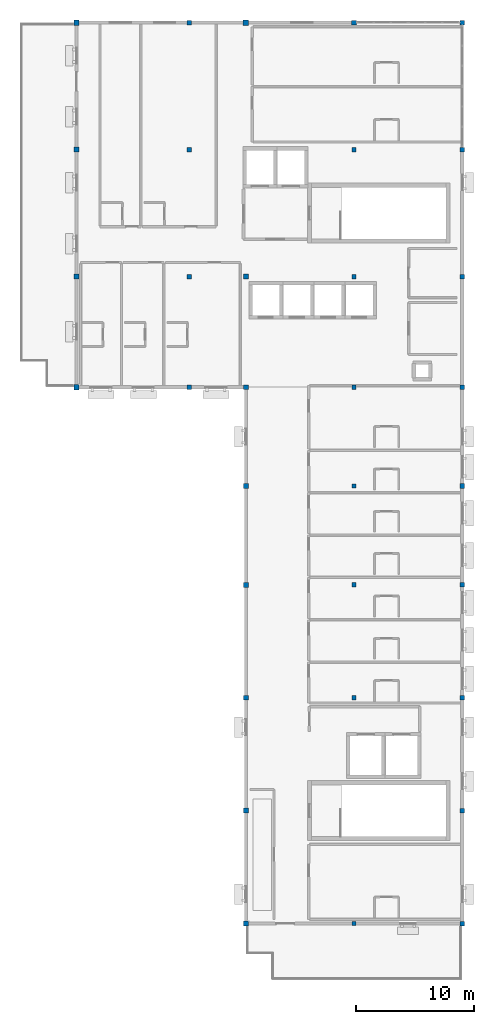
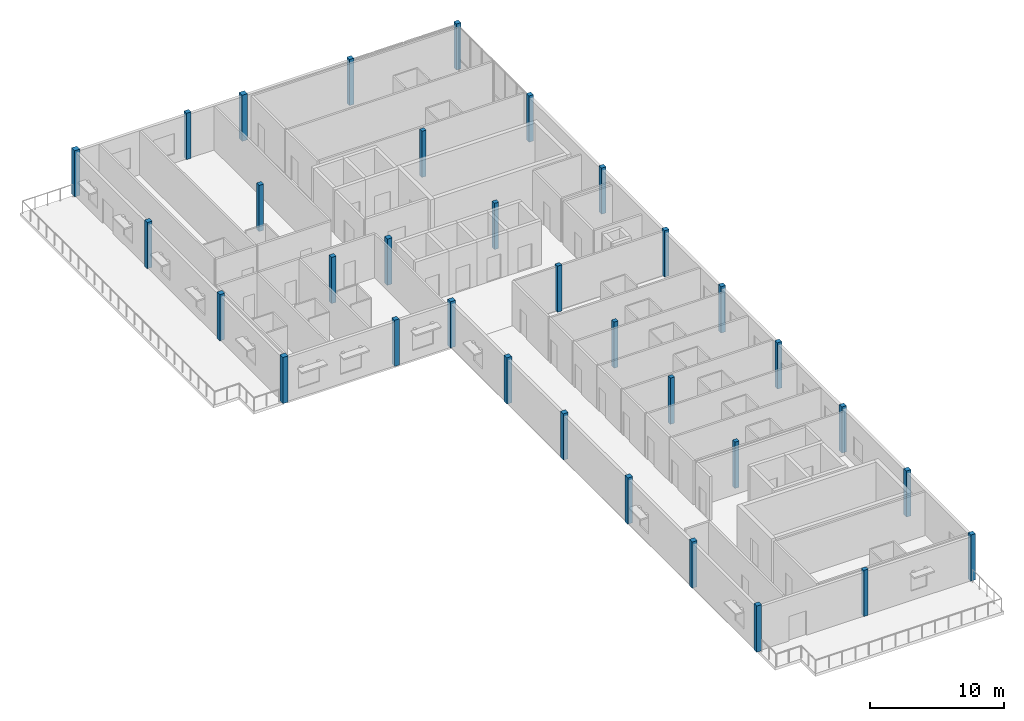
# One storey, part 1 of 9: 33 columns.
"""IFC4 building model written with IfcOpenShell, lengths in metres."""

from ifc_helpers import new_model, si_unit, direction, frame, origin, origin_2d, place, context, subcontext, project, spatial, rectangle, extrude, material, material_profile, profile_set, type_object, element, save


model = new_model("IFC4")

# Units and contexts
model_context = context("Model", 3, precision=1e-05, world=origin(), true_north=direction((0.0, 1.0)))
body_context = subcontext(model_context, "Body", "Model", "MODEL_VIEW")
ifc_project = project(units=[si_unit("LENGTHUNIT", "METRE"), si_unit("AREAUNIT", "SQUARE_METRE"), si_unit("VOLUMEUNIT", "CUBIC_METRE"), si_unit("PLANEANGLEUNIT", "RADIAN"), si_unit("MASSUNIT", "GRAM", prefix="KILO")], contexts=[model_context])

# Site, building, storey
site_placement = place(None, origin())
site = spatial("IfcSite", under=ifc_project, at=site_placement, CompositionType="ELEMENT")
building_placement = place(site_placement, origin())
building = spatial("IfcBuilding", under=site, at=building_placement, Name="Veldera Park Congress Hotel", CompositionType="ELEMENT")
storey_placement = place(building_placement, frame((0.0, 0.0, 46.60009765625)))
storey = spatial("IfcBuildingStorey", under=building, at=storey_placement, Name="L11", CompositionType="ELEMENT", Elevation=46.60009765625)

# Columns
ifc_material = material(Name="Glulam GL28h (NDS 24F-V4)", Category="wood")
ifc_material_profile_1 = material_profile(ifc_material, rectangle(XDim=0.360107421875, YDim=0.360107421875, at=origin_2d()), Name="GL28h 360x360")
ifc_profile_set_1 = profile_set([ifc_material_profile_1], Name="Glulam GL28h (NDS 24F-V4)")
column_type_1 = type_object("IfcColumnType", Name="COL-GL36", PredefinedType="COLUMN", material=ifc_profile_set_1)
for number, where, z_axis, x_axis, name in (
    (1, (74.800048828125, -18.60009765625, 0.0), (0.0, 0.0, 1.0), (1.0, 0.0, 0.0), "L11 Column COL-GL36 (74.8,-18.6)"),
    (2, (74.800048828125, 0.60009765625, 0.0), (0.0, 0.0, 1.0), (1.0, 0.0, 0.0), "L11 Column COL-GL36 (74.8,0.6)"),
    (3, (74.800048828125, 10.199951171875, 0.0), (0.0, 0.0, 1.0), (1.0, 0.0, 0.0), "L11 Column COL-GL36 (74.8,10.2)"),
    (4, (74.800048828125, 18.60009765625, 0.0), (0.0, 0.0, 1.0), (1.0, 0.0, 0.0), "L11 Column COL-GL36 (74.8,18.6)"),
    (5, (74.800048828125, 27.0, 0.0), (0.0, 0.0, 1.0), (1.0, 0.0, 0.0), "L11 Column COL-GL36 (74.8,27.0)"),
    (6, (74.800048828125, 36.39990234375, 0.0), (0.0, 0.0, 1.0), (1.0, 0.0, 0.0), "L11 Column COL-GL36 (74.8,36.4)"),
    (7, (74.800048828125, 47.199951171875, 0.0), (0.0, 0.0, 1.0), (1.0, 0.0, 0.0), "L11 Column COL-GL36 (74.8,47.2)"),
):
    element("IfcColumn", number, at=place(storey_placement, frame(where, z_axis=z_axis, x_axis=x_axis)), inside=storey, type_object=column_type_1, Name=name, PredefinedType="COLUMN", context=body_context, shape_type="SweptSolid", body=[
        extrude(rectangle(XDim=0.360107421875, YDim=0.360107421875, at=origin_2d()), origin(), (0.0, 0.0, 1.0), 4.199951171875),
    ])
ifc_material_profile_2 = material_profile(ifc_material, rectangle(XDim=0.389892578125, YDim=0.389892578125, at=origin_2d()), Name="GL28h 390x390")
ifc_profile_set_2 = profile_set([ifc_material_profile_2], Name="Glulam GL28h (NDS 24F-V4)")
column_type_2 = type_object("IfcColumnType", Name="COL-GL36E", PredefinedType="COLUMN", material=ifc_profile_set_2)
for number, where, z_axis, x_axis, name in (
    (8, (60.800048828125, 27.0, 0.0), (0.0, 0.0, 1.0), (1.0, 0.0, 0.0), "L11 Column COL-GL36E (60.8,27.0)"),
    (9, (60.800048828125, 36.39990234375, 0.0), (0.0, 0.0, 1.0), (1.0, 0.0, 0.0), "L11 Column COL-GL36E (60.8,36.4)"),
    (10, (60.800048828125, 47.199951171875, 0.0), (0.0, 0.0, 1.0), (1.0, 0.0, 0.0), "L11 Column COL-GL36E (60.8,47.2)"),
    (11, (60.800048828125, 58.0, 0.0), (0.0, 0.0, 1.0), (1.0, 0.0, 0.0), "L11 Column COL-GL36E (60.8,58.0)"),
    (12, (74.800048828125, 58.0, 0.0), (0.0, 0.0, 1.0), (1.0, 0.0, 0.0), "L11 Column COL-GL36E (74.8,58.0)"),
    (13, (84.0, -18.60009765625, 0.0), (0.0, 0.0, 1.0), (1.0, 0.0, 0.0), "L11 Column COL-GL36E (84.0,-18.6)"),
    (14, (84.0, -9.0, 0.0), (0.0, 0.0, 1.0), (1.0, 0.0, 0.0), "L11 Column COL-GL36E (84.0,-9.0)"),
    (15, (84.0, 0.60009765625, 0.0), (0.0, 0.0, 1.0), (1.0, 0.0, 0.0), "L11 Column COL-GL36E (84.0,0.6)"),
    (16, (84.0, 10.199951171875, 0.0), (0.0, 0.0, 1.0), (1.0, 0.0, 0.0), "L11 Column COL-GL36E (84.0,10.2)"),
    (17, (84.0, 18.60009765625, 0.0), (0.0, 0.0, 1.0), (1.0, 0.0, 0.0), "L11 Column COL-GL36E (84.0,18.6)"),
    (18, (84.0, 27.0, 0.0), (0.0, 0.0, 1.0), (1.0, 0.0, 0.0), "L11 Column COL-GL36E (84.0,27.0)"),
    (19, (84.0, 36.39990234375, 0.0), (0.0, 0.0, 1.0), (1.0, 0.0, 0.0), "L11 Column COL-GL36E (84.0,36.4)"),
    (20, (84.0, 47.199951171875, 0.0), (0.0, 0.0, 1.0), (1.0, 0.0, 0.0), "L11 Column COL-GL36E (84.0,47.2)"),
    (21, (84.0, 58.0, 0.0), (0.0, 0.0, 1.0), (1.0, 0.0, 0.0), "L11 Column COL-GL36E (84.0,58.0)"),
):
    element("IfcColumn", number, at=place(storey_placement, frame(where, z_axis=z_axis, x_axis=x_axis)), inside=storey, type_object=column_type_2, Name=name, PredefinedType="COLUMN", context=body_context, shape_type="SweptSolid", body=[
        extrude(rectangle(XDim=0.389892578125, YDim=0.389892578125, at=origin_2d()), origin(), (0.0, 0.0, 1.0), 4.199951171875),
    ])
ifc_material_profile_3 = material_profile(ifc_material, rectangle(XDim=0.419921875, YDim=0.419921875, at=origin_2d()), Name="GL28h 420x420")
ifc_profile_set_3 = profile_set([ifc_material_profile_3], Name="Glulam GL28h (NDS 24F-V4)")
column_type_3 = type_object("IfcColumnType", Name="COL-GL42", PredefinedType="COLUMN", material=ifc_profile_set_3)
for number, where, z_axis, x_axis, name in (
    (22, (65.60009765625, -18.60009765625, 0.0), (0.0, 0.0, 1.0), (1.0, 0.0, 0.0), "L11 Column COL-GL42 (65.6,-18.6)"),
    (23, (65.60009765625, -9.0, 0.0), (0.0, 0.0, 1.0), (1.0, 0.0, 0.0), "L11 Column COL-GL42 (65.6,-9.0)"),
    (24, (65.60009765625, 0.60009765625, 0.0), (0.0, 0.0, 1.0), (1.0, 0.0, 0.0), "L11 Column COL-GL42 (65.6,0.6)"),
    (25, (65.60009765625, 10.199951171875, 0.0), (0.0, 0.0, 1.0), (1.0, 0.0, 0.0), "L11 Column COL-GL42 (65.6,10.2)"),
    (26, (65.60009765625, 18.60009765625, 0.0), (0.0, 0.0, 1.0), (1.0, 0.0, 0.0), "L11 Column COL-GL42 (65.6,18.6)"),
    (27, (65.60009765625, 27.0, 0.0), (0.0, 0.0, 1.0), (1.0, 0.0, 0.0), "L11 Column COL-GL42 (65.6,27.0)"),
    (28, (65.60009765625, 36.39990234375, 0.0), (0.0, 0.0, 1.0), (1.0, 0.0, 0.0), "L11 Column COL-GL42 (65.6,36.4)"),
    (29, (51.199951171875, 36.39990234375, 0.0), (0.0, 0.0, 1.0), (1.0, 0.0, 0.0), "L11 Column COL-GL42 (51.2,36.4)"),
    (30, (51.199951171875, 47.199951171875, 0.0), (0.0, 0.0, 1.0), (1.0, 0.0, 0.0), "L11 Column COL-GL42 (51.2,47.2)"),
):
    element("IfcColumn", number, at=place(storey_placement, frame(where, z_axis=z_axis, x_axis=x_axis)), inside=storey, type_object=column_type_3, Name=name, PredefinedType="COLUMN", context=body_context, shape_type="SweptSolid", body=[
        extrude(rectangle(XDim=0.419921875, YDim=0.419921875, at=origin_2d()), origin(), (0.0, 0.0, 1.0), 4.199951171875),
    ])
ifc_material_profile_4 = material_profile(ifc_material, rectangle(XDim=0.449951171875, YDim=0.449951171875, at=origin_2d()), Name="GL28h 450x450")
ifc_profile_set_4 = profile_set([ifc_material_profile_4], Name="Glulam GL28h (NDS 24F-V4)")
column_type_4 = type_object("IfcColumnType", Name="COL-GL42E", PredefinedType="COLUMN", material=ifc_profile_set_4)
for number, where, z_axis, x_axis, name in (
    (31, (65.60009765625, 58.0, 0.0), (0.0, 0.0, 1.0), (1.0, 0.0, 0.0), "L11 Column COL-GL42E (65.6,58.0)"),
    (32, (51.199951171875, 27.0, 0.0), (0.0, 0.0, 1.0), (1.0, 0.0, 0.0), "L11 Column COL-GL42E (51.2,27.0)"),
    (33, (51.199951171875, 58.0, 0.0), (0.0, 0.0, 1.0), (1.0, 0.0, 0.0), "L11 Column COL-GL42E (51.2,58.0)"),
):
    element("IfcColumn", number, at=place(storey_placement, frame(where, z_axis=z_axis, x_axis=x_axis)), inside=storey, type_object=column_type_4, Name=name, PredefinedType="COLUMN", context=body_context, shape_type="SweptSolid", body=[
        extrude(rectangle(XDim=0.449951171875, YDim=0.449951171875, at=origin_2d()), origin(), (0.0, 0.0, 1.0), 4.199951171875),
    ])

save(model, "model.ifc")
